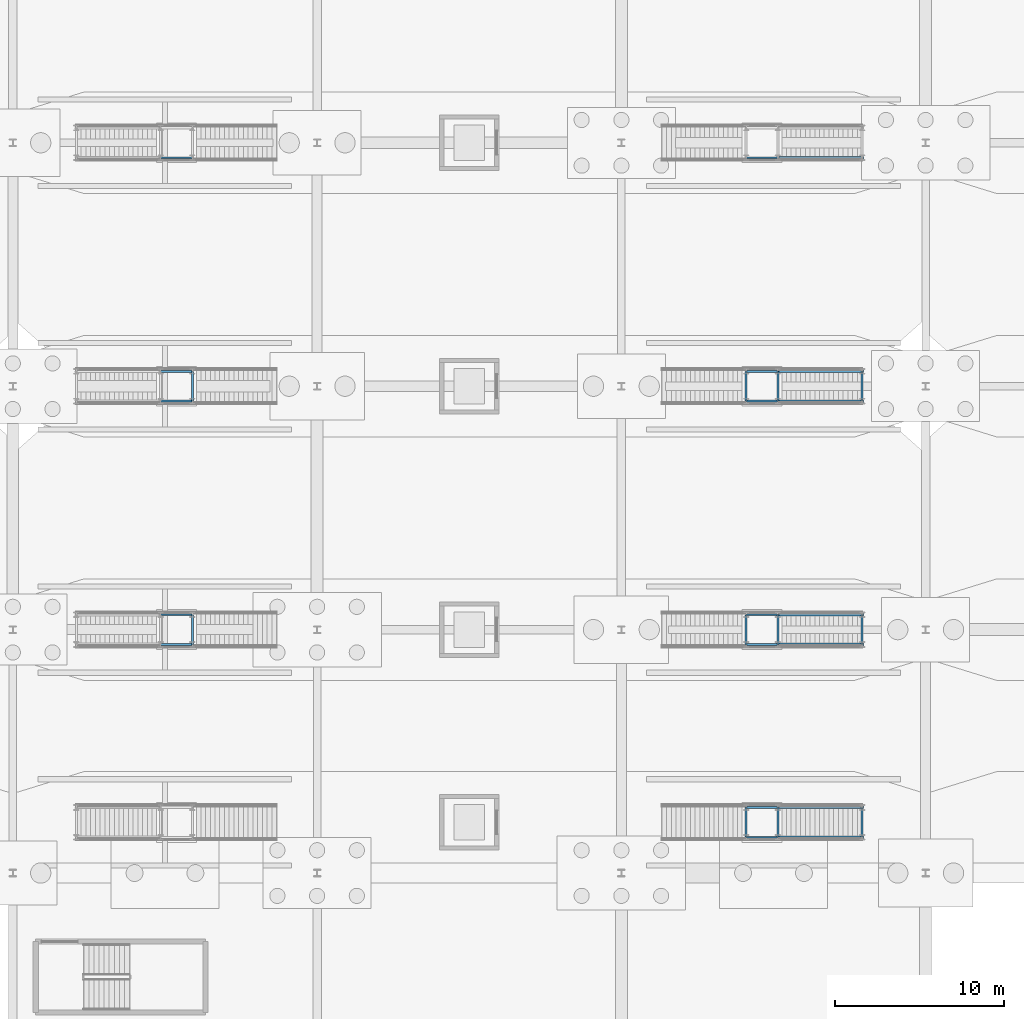
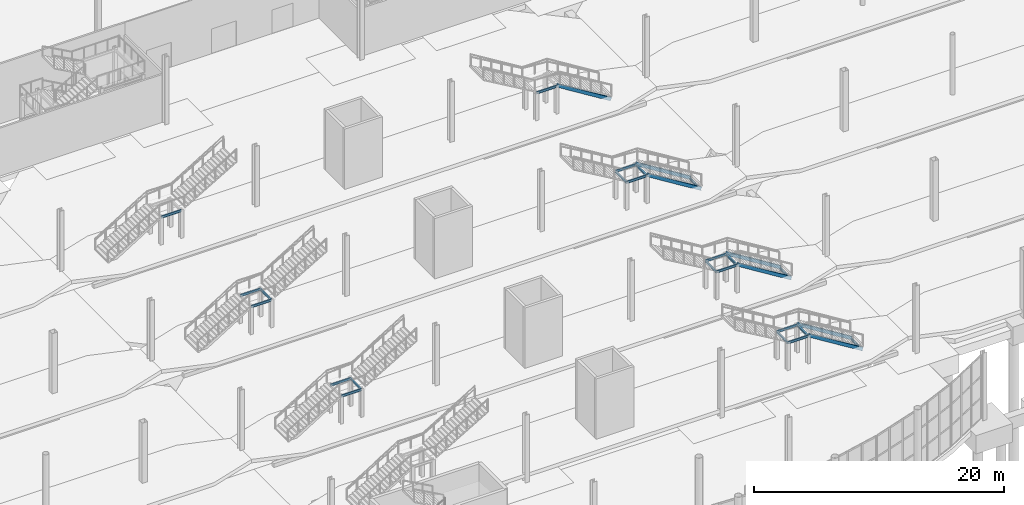
# One storey, part 47 of 115: 23 beams, 7 members.
"""IFC4 building model written with IfcOpenShell, lengths in metres."""

from ifc_helpers import new_model, si_unit, direction, frame, origin, origin_2d, place, context, subcontext, project, spatial, hollow_rectangle, i_section, extrude, material, material_profile, profile_set, type_object, element, save


model = new_model("IFC4")

# Units and contexts
model_context = context("Model", 3, precision=1e-05, world=origin(), true_north=direction((0.0, 1.0)))
body_context = subcontext(model_context, "Body", "Model", "MODEL_VIEW")
ifc_project = project(units=[si_unit("LENGTHUNIT", "METRE"), si_unit("AREAUNIT", "SQUARE_METRE"), si_unit("VOLUMEUNIT", "CUBIC_METRE"), si_unit("PLANEANGLEUNIT", "RADIAN"), si_unit("MASSUNIT", "GRAM", prefix="KILO")], contexts=[model_context])

# Site, building, storey
site_placement = place(None, origin())
site = spatial("IfcSite", under=ifc_project, at=site_placement, CompositionType="ELEMENT")
building_placement = place(site_placement, origin())
building = spatial("IfcBuilding", under=site, at=building_placement, Name="Tamarisk Ironworks Central Station", CompositionType="ELEMENT")
storey_placement = place(building_placement, origin())
storey = spatial("IfcBuildingStorey", under=building, at=storey_placement, Name="L00", CompositionType="ELEMENT", Elevation=0.0)

# Beams
ifc_material = material(Name="Structural steel S355J2", Category="steel")
ifc_material_profile_1 = material_profile(ifc_material, i_section(OverallWidth=0.110107421875, OverallDepth=0.219970703125, WebThickness=0.005859375, FlangeThickness=0.00927734375, at=origin_2d()), Name="IPE 220")
ifc_profile_set_1 = profile_set([ifc_material_profile_1], Name="Structural steel S355J2")
beam_type = type_object("IfcBeamType", Name="BM-J02", PredefinedType="JOIST", material=ifc_profile_set_1)
for number, where, z_axis, x_axis, name in (
    (1, (97.3798828125, 23.719970703125, 3.330078125), (1.0, 0.0, 0.0), (0.0, 1.0, 0.0), "ST-P1B mid-landing tie beam 1"),
    (2, (97.3798828125, 25.47998046875, 3.330078125), (1.0, 0.0, 0.0), (0.0, 1.0, 0.0), "ST-P1B mid-landing tie beam 2"),
):
    element("IfcBeam", number, at=place(storey_placement, frame(where, z_axis=z_axis, x_axis=x_axis)), inside=storey, type_object=beam_type, Name=name, PredefinedType="JOIST", context=body_context, shape_type="SweptSolid", body=[
        extrude(i_section(OverallWidth=0.110107421875, OverallDepth=0.219970703125, WebThickness=0.005859375, FlangeThickness=0.00927734375, at=origin_2d()), origin(), (0.0, 0.0, 1.0), 1.880126953125),
    ])
for number, where, z_axis, x_axis, name in (
    (3, (97.3798828125, 23.719970703125, 3.330078125), (0.0, 1.0, 0.0), (-1.0, 0.0, 0.0), "ST-P1B mid-landing tie beam 3"),
    (4, (99.260009765625, 23.719970703125, 3.330078125), (0.0, 1.0, 0.0), (-1.0, 0.0, 0.0), "ST-P1B mid-landing tie beam 4"),
    (5, (104.239990234375, 23.719970703125, 0.239990234375), (0.0, 1.0, 0.0), (-1.0, 0.0, 0.0), "ST-P1B bottom stringer tie beam"),
):
    element("IfcBeam", number, at=place(storey_placement, frame(where, z_axis=z_axis, x_axis=x_axis)), inside=storey, type_object=beam_type, Name=name, PredefinedType="JOIST", context=body_context, shape_type="SweptSolid", body=[
        extrude(i_section(OverallWidth=0.110107421875, OverallDepth=0.219970703125, WebThickness=0.005859375, FlangeThickness=0.00927734375, at=origin_2d()), origin(), (0.0, 0.0, 1.0), 1.760009765625),
    ])
for number, where, z_axis, x_axis, name in (
    (6, (62.739990234375, 35.1201171875, 3.330078125), (1.0, 0.0, 0.0), (0.0, 1.0, 0.0), "ST-P2A mid-landing tie beam 1"),
    (7, (62.739990234375, 36.8798828125, 3.330078125), (1.0, 0.0, 0.0), (0.0, 1.0, 0.0), "ST-P2A mid-landing tie beam 2"),
):
    element("IfcBeam", number, at=place(storey_placement, frame(where, z_axis=z_axis, x_axis=x_axis)), inside=storey, type_object=beam_type, Name=name, PredefinedType="JOIST", context=body_context, shape_type="SweptSolid", body=[
        extrude(i_section(OverallWidth=0.110107421875, OverallDepth=0.219970703125, WebThickness=0.005859375, FlangeThickness=0.00927734375, at=origin_2d()), origin(), (0.0, 0.0, 1.0), 1.880126953125),
    ])
beam_1_placement = place(storey_placement, frame((64.6201171875, 35.1201171875, 3.330078125), z_axis=(0.0, 1.0, 0.0), x_axis=(-1.0, 0.0, 0.0)))
element("IfcBeam", 8, at=beam_1_placement, inside=storey, type_object=beam_type, Name="ST-P2A mid-landing tie beam 4", PredefinedType="JOIST", context=body_context, shape_type="SweptSolid", body=[
    extrude(i_section(OverallWidth=0.110107421875, OverallDepth=0.219970703125, WebThickness=0.005859375, FlangeThickness=0.00927734375, at=origin_2d()), origin(), (0.0, 0.0, 1.0), 1.759765625),
])
for number, where, z_axis, x_axis, name in (
    (9, (97.3798828125, 35.1201171875, 3.330078125), (1.0, 0.0, 0.0), (0.0, 1.0, 0.0), "ST-P2B mid-landing tie beam 1"),
    (10, (97.3798828125, 36.8798828125, 3.330078125), (1.0, 0.0, 0.0), (0.0, 1.0, 0.0), "ST-P2B mid-landing tie beam 2"),
):
    element("IfcBeam", number, at=place(storey_placement, frame(where, z_axis=z_axis, x_axis=x_axis)), inside=storey, type_object=beam_type, Name=name, PredefinedType="JOIST", context=body_context, shape_type="SweptSolid", body=[
        extrude(i_section(OverallWidth=0.110107421875, OverallDepth=0.219970703125, WebThickness=0.005859375, FlangeThickness=0.00927734375, at=origin_2d()), origin(), (0.0, 0.0, 1.0), 1.880126953125),
    ])
for number, where, z_axis, x_axis, name in (
    (11, (97.3798828125, 35.1201171875, 3.330078125), (0.0, 1.0, 0.0), (-1.0, 0.0, 0.0), "ST-P2B mid-landing tie beam 3"),
    (12, (99.260009765625, 35.1201171875, 3.330078125), (0.0, 1.0, 0.0), (-1.0, 0.0, 0.0), "ST-P2B mid-landing tie beam 4"),
    (13, (104.239990234375, 35.1201171875, 0.239990234375), (0.0, 1.0, 0.0), (-1.0, 0.0, 0.0), "ST-P2B bottom stringer tie beam"),
):
    element("IfcBeam", number, at=place(storey_placement, frame(where, z_axis=z_axis, x_axis=x_axis)), inside=storey, type_object=beam_type, Name=name, PredefinedType="JOIST", context=body_context, shape_type="SweptSolid", body=[
        extrude(i_section(OverallWidth=0.110107421875, OverallDepth=0.219970703125, WebThickness=0.005859375, FlangeThickness=0.00927734375, at=origin_2d()), origin(), (0.0, 0.0, 1.0), 1.759765625),
    ])
for number, where, z_axis, x_axis, name in (
    (14, (62.739990234375, 49.52001953125, 3.330078125), (1.0, 0.0, 0.0), (0.0, 1.0, 0.0), "ST-P3A mid-landing tie beam 1"),
    (15, (62.739990234375, 51.280029296875, 3.330078125), (1.0, 0.0, 0.0), (0.0, 1.0, 0.0), "ST-P3A mid-landing tie beam 2"),
):
    element("IfcBeam", number, at=place(storey_placement, frame(where, z_axis=z_axis, x_axis=x_axis)), inside=storey, type_object=beam_type, Name=name, PredefinedType="JOIST", context=body_context, shape_type="SweptSolid", body=[
        extrude(i_section(OverallWidth=0.110107421875, OverallDepth=0.219970703125, WebThickness=0.005859375, FlangeThickness=0.00927734375, at=origin_2d()), origin(), (0.0, 0.0, 1.0), 1.880126953125),
    ])
beam_2_placement = place(storey_placement, frame((64.6201171875, 49.52001953125, 3.330078125), z_axis=(0.0, 1.0, 0.0), x_axis=(-1.0, 0.0, 0.0)))
element("IfcBeam", 16, at=beam_2_placement, inside=storey, type_object=beam_type, Name="ST-P3A mid-landing tie beam 4", PredefinedType="JOIST", context=body_context, shape_type="SweptSolid", body=[
    extrude(i_section(OverallWidth=0.110107421875, OverallDepth=0.219970703125, WebThickness=0.005859375, FlangeThickness=0.00927734375, at=origin_2d()), origin(), (0.0, 0.0, 1.0), 1.760009765625),
])
for number, where, z_axis, x_axis, name in (
    (17, (97.3798828125, 49.52001953125, 3.330078125), (1.0, 0.0, 0.0), (0.0, 1.0, 0.0), "ST-P3B mid-landing tie beam 1"),
    (18, (97.3798828125, 51.280029296875, 3.330078125), (1.0, 0.0, 0.0), (0.0, 1.0, 0.0), "ST-P3B mid-landing tie beam 2"),
):
    element("IfcBeam", number, at=place(storey_placement, frame(where, z_axis=z_axis, x_axis=x_axis)), inside=storey, type_object=beam_type, Name=name, PredefinedType="JOIST", context=body_context, shape_type="SweptSolid", body=[
        extrude(i_section(OverallWidth=0.110107421875, OverallDepth=0.219970703125, WebThickness=0.005859375, FlangeThickness=0.00927734375, at=origin_2d()), origin(), (0.0, 0.0, 1.0), 1.880126953125),
    ])
for number, where, z_axis, x_axis, name in (
    (19, (97.3798828125, 49.52001953125, 3.330078125), (0.0, 1.0, 0.0), (-1.0, 0.0, 0.0), "ST-P3B mid-landing tie beam 3"),
    (20, (99.260009765625, 49.52001953125, 3.330078125), (0.0, 1.0, 0.0), (-1.0, 0.0, 0.0), "ST-P3B mid-landing tie beam 4"),
    (21, (104.239990234375, 49.52001953125, 0.239990234375), (0.0, 1.0, 0.0), (-1.0, 0.0, 0.0), "ST-P3B bottom stringer tie beam"),
):
    element("IfcBeam", number, at=place(storey_placement, frame(where, z_axis=z_axis, x_axis=x_axis)), inside=storey, type_object=beam_type, Name=name, PredefinedType="JOIST", context=body_context, shape_type="SweptSolid", body=[
        extrude(i_section(OverallWidth=0.110107421875, OverallDepth=0.219970703125, WebThickness=0.005859375, FlangeThickness=0.00927734375, at=origin_2d()), origin(), (0.0, 0.0, 1.0), 1.760009765625),
    ])
for number, where, z_axis, x_axis, name in (
    (22, (62.739990234375, 63.919921875, 3.330078125), (1.0, 0.0, 0.0), (0.0, 1.0, 0.0), "ST-P4A mid-landing tie beam 1"),
    (23, (97.3798828125, 63.919921875, 3.330078125), (1.0, 0.0, 0.0), (0.0, 1.0, 0.0), "ST-P4B mid-landing tie beam 1"),
):
    element("IfcBeam", number, at=place(storey_placement, frame(where, z_axis=z_axis, x_axis=x_axis)), inside=storey, type_object=beam_type, Name=name, PredefinedType="JOIST", context=body_context, shape_type="SweptSolid", body=[
        extrude(i_section(OverallWidth=0.110107421875, OverallDepth=0.219970703125, WebThickness=0.005859375, FlangeThickness=0.00927734375, at=origin_2d()), origin(), (0.0, 0.0, 1.0), 1.880126953125),
    ])

# Members
ifc_material_profile_2 = material_profile(ifc_material, hollow_rectangle(XDim=0.14990234375, YDim=0.300048828125, WallThickness=0.010009765625, at=origin_2d()), Name="RHS 300x150x10")
ifc_profile_set_2 = profile_set([ifc_material_profile_2], Name="Structural steel S355J2")
member_type = type_object("IfcMemberType", Name="MB-STR01", PredefinedType="STRINGER", material=ifc_profile_set_2)
for number, where, z_axis, x_axis, name in (
    (24, (104.239990234375, 23.719970703125, 0.340087890625), (-0.848964905475, 0.0, 0.528449230553), (0.0, -1.0, 0.0), "ST-P1B lower flight steel stringer S"),
    (25, (104.239990234375, 25.47998046875, 0.340087890625), (-0.848964905475, 0.0, 0.528449230553), (0.0, -1.0, 0.0), "ST-P1B lower flight steel stringer N"),
    (26, (104.239990234375, 35.1201171875, 0.340087890625), (-0.848964905475, 0.0, 0.528449230553), (0.0, -1.0, 0.0), "ST-P2B lower flight steel stringer S"),
    (27, (104.239990234375, 36.8798828125, 0.340087890625), (-0.848964905475, 0.0, 0.528449230553), (0.0, -1.0, 0.0), "ST-P2B lower flight steel stringer N"),
    (28, (104.239990234375, 49.52001953125, 0.340087890625), (-0.848964905475, 0.0, 0.528449230553), (0.0, -1.0, 0.0), "ST-P3B lower flight steel stringer S"),
    (29, (104.239990234375, 51.280029296875, 0.340087890625), (-0.848964905475, 0.0, 0.528449230553), (0.0, -1.0, 0.0), "ST-P3B lower flight steel stringer N"),
    (30, (104.239990234375, 63.919921875, 0.340087890625), (-0.848964905475, 0.0, 0.528449230553), (0.0, -1.0, 0.0), "ST-P4B lower flight steel stringer S"),
):
    element("IfcMember", number, at=place(storey_placement, frame(where, z_axis=z_axis, x_axis=x_axis)), inside=storey, type_object=member_type, Name=name, PredefinedType="STRINGER", context=body_context, shape_type="SweptSolid", body=[
        extrude(hollow_rectangle(XDim=0.14990234375, YDim=0.300048828125, WallThickness=0.010009765625, at=origin_2d()), origin(), (0.0, 0.0, 1.0), 5.865966796875),
    ])

save(model, "model.ifc")
